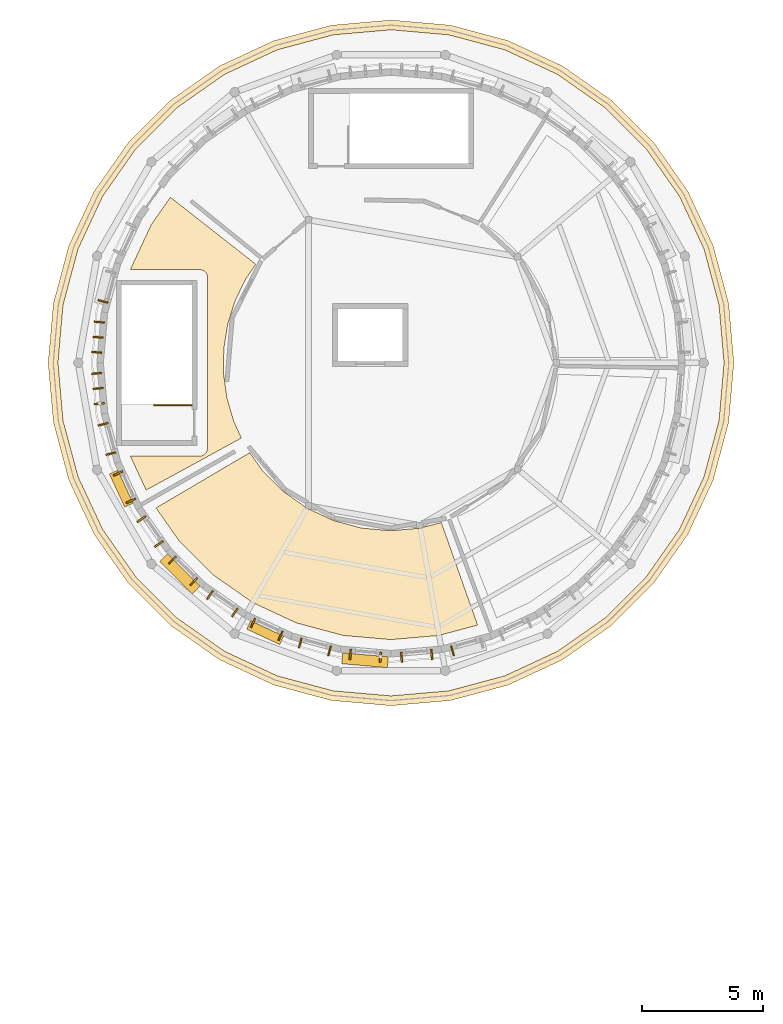
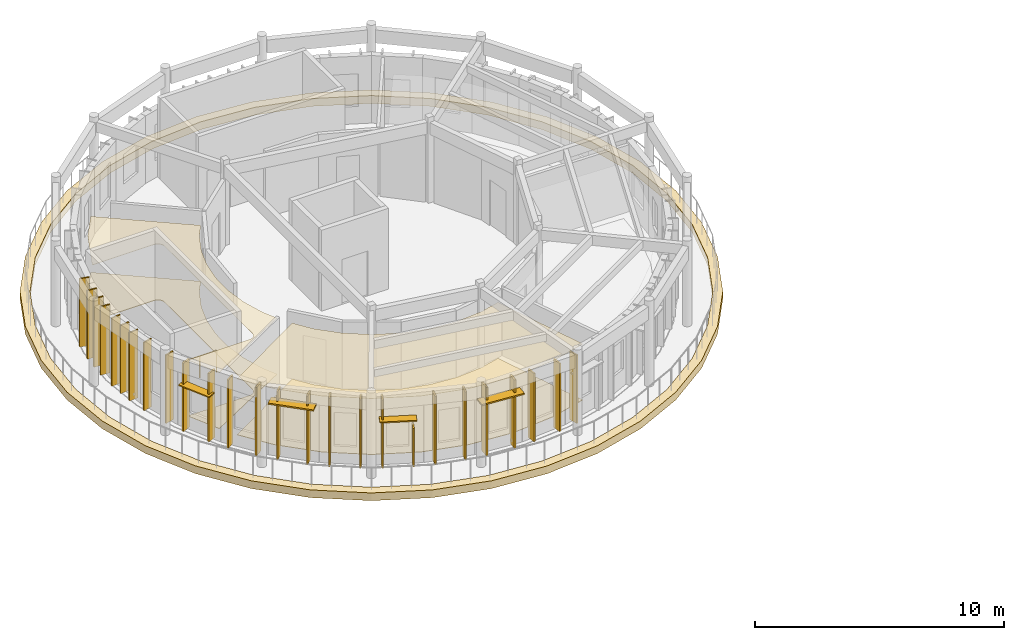
# One storey, part 12 of 14: 30 shading devices, 5 coverings, 1 railing.
"""IFC4 building model written with IfcOpenShell, lengths in metres."""

from ifc_helpers import new_model, si_unit, direction, frame, origin, origin_2d, place, context, subcontext, project, spatial, polyline, rectangle, circle, outline, extrude, material, layer, layer_set, type_object, element, save


model = new_model("IFC4")

# Units and contexts
model_context = context("Model", 3, precision=1e-05, world=origin(), true_north=direction((0.0, 1.0)))
body_context = subcontext(model_context, "Body", "Model", "MODEL_VIEW")
ifc_project = project(units=[si_unit("LENGTHUNIT", "METRE"), si_unit("AREAUNIT", "SQUARE_METRE"), si_unit("VOLUMEUNIT", "CUBIC_METRE"), si_unit("PLANEANGLEUNIT", "RADIAN"), si_unit("MASSUNIT", "GRAM", prefix="KILO")], contexts=[model_context])

# Site, building, storey
site_placement = place(None, origin())
site = spatial("IfcSite", under=ifc_project, at=site_placement, CompositionType="ELEMENT")
building_placement = place(site_placement, origin())
building = spatial("IfcBuilding", under=site, at=building_placement, Name="Aldenvaro Health Centre", CompositionType="ELEMENT")
storey_placement = place(building_placement, frame((0.0, 0.0, 21.35009765625)))
storey = spatial("IfcBuildingStorey", under=building, at=storey_placement, Name="L05", CompositionType="ELEMENT", Elevation=21.35009765625)

# Coverings
ifc_material_1 = material(Name="Antimicrobial Mineral Fibre Ceiling")
ifc_layer_1 = layer(ifc_material_1, 0.01806640625, Name="Antimicrobial Mineral Fibre Ceiling")
ifc_layer_set_1 = layer_set([ifc_layer_1], Name="Antimicrobial Mineral Fibre Ceiling")
covering_type_1 = type_object("IfcCoveringType", Name="COV-CLG-ACT18", PredefinedType="CEILING", material=ifc_layer_set_1)
covering_1_placement = place(storey_placement, frame((0.0, 0.0, 2.75)))
element("IfcCovering", 1, at=covering_1_placement, inside=storey, type_object=covering_type_1, Name="D4-L05-R01 Suspended Ceiling", PredefinedType="CEILING", context=body_context, shape_type="SweptSolid", body=[
    extrude(outline(polyline([(12.510009765625, 102.944091796875), (12.492919921875, 102.9140625), (12.073974609375, 102.0380859375), (12.06103515625, 102.006103515625), (11.77294921875, 101.077880859375), (11.764892578125, 101.0439453125), (11.614990234375, 100.0849609375), (11.613037109375, 100.050048828125), (11.60302734375, 99.080078125), (11.60595703125, 99.044921875), (11.737060546875, 98.0830078125), (11.7451171875, 98.049072265625), (12.014892578125, 97.115966796875), (12.027099609375, 97.083984375), (12.3369140625, 96.403076171875), (8.4150390625, 94.259033203125), (7.7890625, 95.60205078125), (7.77294921875, 95.659912109375), (10.6201171875, 95.659912109375), (10.632080078125, 95.659912109375), (10.639892578125, 95.660888671875), (10.6630859375, 95.6630859375), (10.6708984375, 95.6640625), (10.694091796875, 95.6689453125), (10.701904296875, 95.6708984375), (10.72412109375, 95.677001953125), (10.73095703125, 95.679931640625), (10.7529296875, 95.68896484375), (10.760009765625, 95.69189453125), (10.781005859375, 95.7041015625), (10.7880859375, 95.7080078125), (10.806884765625, 95.720947265625), (10.81396484375, 95.72509765625), (10.83203125, 95.739990234375), (10.837890625, 95.74609375), (10.85400390625, 95.761962890625), (10.860107421875, 95.76806640625), (10.875, 95.785888671875), (10.87890625, 95.79296875), (10.89208984375, 95.81201171875), (10.89599609375, 95.819091796875), (10.907958984375, 95.840087890625), (10.910888671875, 95.846923828125), (10.919921875, 95.868896484375), (10.923095703125, 95.8759765625), (10.928955078125, 95.89794921875), (10.930908203125, 95.906005859375), (10.93603515625, 95.928955078125), (10.93701171875, 95.93701171875), (10.93896484375, 95.9599609375), (10.93994140625, 95.968017578125), (10.93994140625, 95.97998046875), (10.93994140625, 103.02001953125), (10.93994140625, 103.031982421875), (10.93896484375, 103.0400390625), (10.93701171875, 103.06298828125), (10.93603515625, 103.071044921875), (10.930908203125, 103.093994140625), (10.928955078125, 103.10205078125), (10.923095703125, 103.1240234375), (10.919921875, 103.131103515625), (10.910888671875, 103.153076171875), (10.907958984375, 103.159912109375), (10.89599609375, 103.180908203125), (10.89208984375, 103.18798828125), (10.87890625, 103.20703125), (10.875, 103.214111328125), (10.860107421875, 103.23193359375), (10.85400390625, 103.238037109375), (10.837890625, 103.25390625), (10.83203125, 103.260009765625), (10.81396484375, 103.27490234375), (10.806884765625, 103.279052734375), (10.7880859375, 103.2919921875), (10.781005859375, 103.2958984375), (10.760009765625, 103.30810546875), (10.7529296875, 103.31103515625), (10.73095703125, 103.320068359375), (10.72412109375, 103.322998046875), (10.701904296875, 103.3291015625), (10.694091796875, 103.3310546875), (10.6708984375, 103.3359375), (10.6630859375, 103.3369140625), (10.639892578125, 103.339111328125), (10.632080078125, 103.340087890625), (10.6201171875, 103.340087890625), (7.77294921875, 103.340087890625), (7.7890625, 103.39794921875), (8.6279296875, 105.198974609375), (9.4130859375, 106.320068359375), (12.927001953125, 103.56396484375), (12.510009765625, 102.944091796875)])), origin(), (0.0, 0.0, 1.0), 0.017822265625),
])
covering_2_placement = place(storey_placement, frame((0.0, 0.0, 2.75)))
element("IfcCovering", 2, at=covering_2_placement, inside=storey, type_object=covering_type_1, Name="D4-L05-R02 Suspended Ceiling", PredefinedType="CEILING", context=body_context, shape_type="SweptSolid", body=[
    extrude(outline(polyline([(13.220947265625, 95.04296875), (13.23388671875, 95.02587890625), (13.248046875, 95.010986328125), (14.06396484375, 94.202880859375), (14.0791015625, 94.18896484375), (14.095947265625, 94.177001953125), (15.0380859375, 93.52099609375), (15.055908203125, 93.510009765625), (15.073974609375, 93.5), (16.114990234375, 93.014892578125), (16.134033203125, 93.008056640625), (16.154052734375, 93.0009765625), (17.262939453125, 92.702880859375), (17.282958984375, 92.697998046875), (17.303955078125, 92.695068359375), (18.447021484375, 92.591064453125), (18.468017578125, 92.590087890625), (18.489013671875, 92.591064453125), (19.633056640625, 92.68408203125), (19.654052734375, 92.68701171875), (19.674072265625, 92.69091796875), (20.572021484375, 92.924072265625), (22.06689453125, 88.699951171875), (20.47900390625, 88.27392578125), (18.5, 88.10107421875), (16.52099609375, 88.27392578125), (14.60205078125, 88.7890625), (12.801025390625, 89.6279296875), (11.174072265625, 90.76806640625), (9.76806640625, 92.174072265625), (8.820068359375, 93.52587890625), (12.68310546875, 95.799072265625), (13.220947265625, 95.04296875)])), origin(), (0.0, 0.0, 1.0), 0.017822265625),
])
ifc_material_2 = material(Name="Honed Sonoran Buff Limestone", Category="masonry")
ifc_layer_2 = layer(ifc_material_2, 0.280029296875, Name="Honed Sonoran Buff Limestone", Category="masonry")
ifc_layer_set_2 = layer_set([ifc_layer_2], Name="Honed Sonoran Buff Limestone")
covering_type_2 = type_object("IfcCoveringType", Name="COV-CRN-STN", PredefinedType="CLADDING", material=ifc_layer_set_2)
covering_3_placement = place(storey_placement, frame((0.0, 0.0, -0.340087890625)))
element("IfcCovering", 3, at=covering_3_placement, inside=storey, type_object=covering_type_2, Name="D4 L05 Classical Stone Entablature Cornice 1", PredefinedType="CLADDING", context=body_context, shape_type="SweptSolid", body=[
    extrude(outline(polyline([(32.6201171875, 99.5), (32.405029296875, 101.951904296875), (31.76806640625, 104.3291015625), (30.72802734375, 106.56005859375), (29.31689453125, 108.575927734375), (27.575927734375, 110.31689453125), (25.56005859375, 111.72802734375), (23.3291015625, 112.76806640625), (20.951904296875, 113.405029296875), (18.5, 113.6201171875), (16.048095703125, 113.405029296875), (13.6708984375, 112.76806640625), (11.43994140625, 111.72802734375), (9.424072265625, 110.31689453125), (7.68310546875, 108.575927734375), (6.27197265625, 106.56005859375), (5.23193359375, 104.3291015625), (4.594970703125, 101.951904296875), (4.3798828125, 99.5), (4.594970703125, 97.048095703125), (5.23193359375, 94.6708984375), (6.27197265625, 92.43994140625), (7.68310546875, 90.424072265625), (9.424072265625, 88.68310546875), (11.43994140625, 87.27197265625), (13.6708984375, 86.23193359375), (16.048095703125, 85.594970703125), (18.5, 85.3798828125), (20.951904296875, 85.594970703125), (23.3291015625, 86.23193359375), (25.56005859375, 87.27197265625), (27.575927734375, 88.68310546875), (29.31689453125, 90.424072265625), (30.72802734375, 92.43994140625), (31.76806640625, 94.6708984375), (32.405029296875, 97.048095703125), (32.6201171875, 99.5)]), holes=[polyline([(32.215087890625, 99.5), (32.007080078125, 97.117919921875), (31.387939453125, 94.80908203125), (30.3779296875, 92.64208984375), (29.006103515625, 90.68408203125), (27.31591796875, 88.993896484375), (25.35791015625, 87.6220703125), (23.19091796875, 86.612060546875), (20.882080078125, 85.992919921875), (18.5, 85.784912109375), (16.117919921875, 85.992919921875), (13.80908203125, 86.612060546875), (11.64208984375, 87.6220703125), (9.68408203125, 88.993896484375), (7.993896484375, 90.68408203125), (6.6220703125, 92.64208984375), (5.612060546875, 94.80908203125), (4.992919921875, 97.117919921875), (4.784912109375, 99.5), (4.992919921875, 101.882080078125), (5.612060546875, 104.19091796875), (6.6220703125, 106.35791015625), (7.993896484375, 108.31591796875), (9.68408203125, 110.006103515625), (11.64306640625, 111.3779296875), (13.80908203125, 112.387939453125), (16.117919921875, 113.007080078125), (18.5, 113.215087890625), (20.882080078125, 113.007080078125), (23.19091796875, 112.387939453125), (25.35791015625, 111.3779296875), (27.31591796875, 110.006103515625), (29.006103515625, 108.31591796875), (30.3779296875, 106.35791015625), (31.387939453125, 104.19091796875), (32.007080078125, 101.882080078125), (32.215087890625, 99.5)])]), origin(), (0.0, 0.0, 1.0), 0.3798828125),
])
ifc_material_3 = material(Name="Polished Epoxy Terrazzo Flooring")
ifc_layer_3 = layer(ifc_material_3, 0.02197265625, Name="Polished Epoxy Terrazzo Flooring")
ifc_layer_set_3 = layer_set([ifc_layer_3], Name="Polished Epoxy Terrazzo Flooring")
covering_type_3 = type_object("IfcCoveringType", Name="COV-FLR-TER22", PredefinedType="FLOORING", material=ifc_layer_set_3)
covering_4_placement = place(storey_placement, origin())
element("IfcCovering", 4, at=covering_4_placement, inside=storey, type_object=covering_type_3, Name="D4-L05-R01 Flooring", PredefinedType="FLOORING", context=body_context, shape_type="SweptSolid", body=[
    extrude(outline(polyline([(12.510009765625, 102.944091796875), (12.492919921875, 102.9140625), (12.073974609375, 102.0380859375), (12.06103515625, 102.006103515625), (11.77294921875, 101.077880859375), (11.764892578125, 101.0439453125), (11.614990234375, 100.0849609375), (11.613037109375, 100.050048828125), (11.60302734375, 99.080078125), (11.60595703125, 99.044921875), (11.737060546875, 98.0830078125), (11.7451171875, 98.049072265625), (12.014892578125, 97.115966796875), (12.027099609375, 97.083984375), (12.3369140625, 96.403076171875), (8.4150390625, 94.259033203125), (7.7890625, 95.60205078125), (7.77294921875, 95.659912109375), (10.6201171875, 95.659912109375), (10.632080078125, 95.659912109375), (10.639892578125, 95.660888671875), (10.6630859375, 95.6630859375), (10.6708984375, 95.6640625), (10.694091796875, 95.6689453125), (10.701904296875, 95.6708984375), (10.72412109375, 95.677001953125), (10.73095703125, 95.679931640625), (10.7529296875, 95.68896484375), (10.760009765625, 95.69189453125), (10.781005859375, 95.7041015625), (10.7880859375, 95.7080078125), (10.806884765625, 95.720947265625), (10.81396484375, 95.72509765625), (10.83203125, 95.739990234375), (10.837890625, 95.74609375), (10.85400390625, 95.761962890625), (10.860107421875, 95.76806640625), (10.875, 95.785888671875), (10.87890625, 95.79296875), (10.89208984375, 95.81201171875), (10.89599609375, 95.819091796875), (10.907958984375, 95.840087890625), (10.910888671875, 95.846923828125), (10.919921875, 95.868896484375), (10.923095703125, 95.8759765625), (10.928955078125, 95.89794921875), (10.930908203125, 95.906005859375), (10.93603515625, 95.928955078125), (10.93701171875, 95.93701171875), (10.93896484375, 95.9599609375), (10.93994140625, 95.968017578125), (10.93994140625, 95.97998046875), (10.93994140625, 103.02001953125), (10.93994140625, 103.031982421875), (10.93896484375, 103.0400390625), (10.93701171875, 103.06298828125), (10.93603515625, 103.071044921875), (10.930908203125, 103.093994140625), (10.928955078125, 103.10205078125), (10.923095703125, 103.1240234375), (10.919921875, 103.131103515625), (10.910888671875, 103.153076171875), (10.907958984375, 103.159912109375), (10.89599609375, 103.180908203125), (10.89208984375, 103.18798828125), (10.87890625, 103.20703125), (10.875, 103.214111328125), (10.860107421875, 103.23193359375), (10.85400390625, 103.238037109375), (10.837890625, 103.25390625), (10.83203125, 103.260009765625), (10.81396484375, 103.27490234375), (10.806884765625, 103.279052734375), (10.7880859375, 103.2919921875), (10.781005859375, 103.2958984375), (10.760009765625, 103.30810546875), (10.7529296875, 103.31103515625), (10.73095703125, 103.320068359375), (10.72412109375, 103.322998046875), (10.701904296875, 103.3291015625), (10.694091796875, 103.3310546875), (10.6708984375, 103.3359375), (10.6630859375, 103.3369140625), (10.639892578125, 103.339111328125), (10.632080078125, 103.340087890625), (10.6201171875, 103.340087890625), (7.77294921875, 103.340087890625), (7.7890625, 103.39794921875), (8.6279296875, 105.198974609375), (9.4130859375, 106.320068359375), (12.927001953125, 103.56396484375), (12.510009765625, 102.944091796875)])), origin(), (0.0, 0.0, 1.0), 0.02197265625),
])
covering_5_placement = place(storey_placement, origin())
element("IfcCovering", 5, at=covering_5_placement, inside=storey, type_object=covering_type_3, Name="D4-L05-R02 Flooring", PredefinedType="FLOORING", context=body_context, shape_type="SweptSolid", body=[
    extrude(outline(polyline([(13.220947265625, 95.04296875), (13.23388671875, 95.02587890625), (13.248046875, 95.010986328125), (14.06396484375, 94.202880859375), (14.0791015625, 94.18896484375), (14.095947265625, 94.177001953125), (15.0380859375, 93.52099609375), (15.055908203125, 93.510009765625), (15.073974609375, 93.5), (16.114990234375, 93.014892578125), (16.134033203125, 93.008056640625), (16.154052734375, 93.0009765625), (17.262939453125, 92.702880859375), (17.282958984375, 92.697998046875), (17.303955078125, 92.695068359375), (18.447021484375, 92.591064453125), (18.468017578125, 92.590087890625), (18.489013671875, 92.591064453125), (19.633056640625, 92.68408203125), (19.654052734375, 92.68701171875), (19.674072265625, 92.69091796875), (20.572021484375, 92.924072265625), (22.06689453125, 88.699951171875), (20.47900390625, 88.27392578125), (18.5, 88.10107421875), (16.52099609375, 88.27392578125), (14.60205078125, 88.7890625), (12.801025390625, 89.6279296875), (11.174072265625, 90.76806640625), (9.76806640625, 92.174072265625), (8.820068359375, 93.52587890625), (12.68310546875, 95.799072265625), (13.220947265625, 95.04296875)])), origin(), (0.0, 0.0, 1.0), 0.02197265625),
])

# Railing
ifc_material_4 = material(Name="Painted Architectural Steel", Category="steel")
railing_type = type_object("IfcRailingType", Name="RL-BAL-INT", PredefinedType="BALUSTRADE", material=ifc_material_4)
railing_placement = place(storey_placement, frame((10.300048828125, 97.75, 0.0)))
element("IfcRailing", 6, at=railing_placement, inside=storey, type_object=railing_type, Name="L05 ST-08 top well guard 1", PredefinedType="BALUSTRADE", context=body_context, shape_type="SweptSolid", body=[
    extrude(circle(Radius=0.02392578125, at=origin_2d()), frame((0.0, 0.0, 1.076171875), z_axis=(-1.0, 0.0, 0.0), x_axis=(0.0, -1.0, 0.0)), (0.0, 0.0, 1.0), 1.550048828125),
    extrude(circle(Radius=0.02099609375, at=origin_2d()), origin(), (0.0, 0.0, 1.0), 1.052001953125),
    extrude(circle(Radius=0.02099609375, at=origin_2d()), frame((-0.77490234375, 0.0, 0.0)), (0.0, 0.0, 1.0), 1.052001953125),
    extrude(circle(Radius=0.02099609375, at=origin_2d()), frame((-1.550048828125, 0.0, 0.0)), (0.0, 0.0, 1.0), 1.052001953125),
])

# Shading devices
ifc_material_5 = material(Name="Douglas Fir Exterior Glulam GL28h", Category="wood")
shading_device_type_1 = type_object("IfcShadingDeviceType", Name="SHD-FIN-190", PredefinedType="USERDEFINED", material=ifc_material_5)
shading_device_1_placement = place(storey_placement, frame((13.947998046875, 88.260986328125, -0.02001953125), z_axis=(0.0, 0.0, 1.0), x_axis=(-0.906256509994, 0.422728208301, 0.0)))
element("IfcShadingDevice", 7, at=shading_device_1_placement, inside=storey, type_object=shading_device_type_1, Name="D4 L05 Douglas fir fin 11.1", ObjectType="FIN", PredefinedType="USERDEFINED", context=body_context, shape_type="SweptSolid", body=[
    extrude(rectangle(XDim=0.06494140625, YDim=0.419921875, at=origin_2d()), origin(), (0.0, 0.0, 1.0), 1.89990234375),
])
shading_device_type_2 = type_object("IfcShadingDeviceType", Name="SHD-FIN-340", PredefinedType="USERDEFINED", material=ifc_material_5)
for number, where, z_axis, x_axis, name in (
    (8, (18.06591796875, 87.382080078125, -0.02001953125), (0.0, 0.0, 1.0), (-0.996193717495, 0.087166950289, 0.0), "D4 L05 Douglas fir fin 9.1"),
    (9, (16.822998046875, 87.490966796875, -0.02001953125), (0.0, 0.0, 1.0), (-0.996193717495, 0.087166950289, 0.0), "D4 L05 Douglas fir fin 9.3"),
    (10, (7.7890625, 93.81689453125, -0.02001953125), (0.0, 0.0, 1.0), (-0.422728208301, 0.906256509994, 0.0), "D4 L05 Douglas fir fin 15.1"),
    (11, (7.260986328125, 94.947998046875, -0.02001953125), (0.0, 0.0, 1.0), (-0.422728208301, 0.906256509994, 0.0), "D4 L05 Douglas fir fin 15.3"),
):
    element("IfcShadingDevice", number, at=place(storey_placement, frame(where, z_axis=z_axis, x_axis=x_axis)), inside=storey, type_object=shading_device_type_2, Name=name, ObjectType="FIN", PredefinedType="USERDEFINED", context=body_context, shape_type="SweptSolid", body=[
        extrude(rectangle(XDim=0.074951171875, YDim=0.419921875, at=origin_2d()), origin(), (0.0, 0.0, 1.0), 3.35400390625),
    ])
shading_device_type_3 = type_object("IfcShadingDeviceType", Name="SHD-FIN-380", PredefinedType="USERDEFINED", material=ifc_material_5)
for number, where, z_axis, x_axis, name in (
    (12, (20.177001953125, 87.490966796875, -0.02001953125), (0.0, 0.0, 1.0), (-0.996193717495, -0.087166950289, 0.0), "D4 L05 Douglas fir fin 8.1"),
    (13, (18.93408203125, 87.382080078125, -0.02001953125), (0.0, 0.0, 1.0), (-0.996193717495, -0.087166950289, 0.0), "D4 L05 Douglas fir fin 8.3"),
    (14, (8.93896484375, 92.04296875, -0.02001953125), (0.0, 0.0, 1.0), (-0.57355873574, 0.819164438106, 0.0), "D4 L05 Douglas fir fin 14.1"),
    (15, (8.222900390625, 93.06591796875, -0.02001953125), (0.0, 0.0, 1.0), (-0.57355873574, 0.819164438106, 0.0), "D4 L05 Douglas fir fin 14.3"),
):
    element("IfcShadingDevice", number, at=place(storey_placement, frame(where, z_axis=z_axis, x_axis=x_axis)), inside=storey, type_object=shading_device_type_3, Name=name, ObjectType="FIN", PredefinedType="USERDEFINED", context=body_context, shape_type="SweptSolid", body=[
        extrude(rectangle(XDim=0.074951171875, YDim=0.419921875, at=origin_2d()), origin(), (0.0, 0.0, 1.0), 3.35400390625),
    ])
shading_device_type_4 = type_object("IfcShadingDeviceType", Name="SHD-FIN-400", PredefinedType="USERDEFINED", material=ifc_material_5)
for number, where, z_axis, x_axis, name in (
    (16, (21.031005859375, 87.64208984375, -0.02001953125), (0.0, 0.0, 1.0), (-0.965980105029, -0.258616389055, 0.0), "D4 L05 Douglas fir fin 7.3"),
    (17, (10.3779296875, 90.49609375, -0.02001953125), (0.0, 0.0, 1.0), (-0.707106781187, 0.707106781187, 0.0), "D4 L05 Douglas fir fin 13.1"),
    (18, (9.49609375, 91.3779296875, -0.02001953125), (0.0, 0.0, 1.0), (-0.707106781187, 0.707106781187, 0.0), "D4 L05 Douglas fir fin 13.3"),
    (19, (6.64208984375, 102.031005859375, -0.02001953125), (0.0, 0.0, 1.0), (0.258616389055, 0.965980105029, 0.0), "D4 L05 Douglas fir fin 19.1"),
):
    element("IfcShadingDevice", number, at=place(storey_placement, frame(where, z_axis=z_axis, x_axis=x_axis)), inside=storey, type_object=shading_device_type_4, Name=name, ObjectType="FIN", PredefinedType="USERDEFINED", context=body_context, shape_type="SweptSolid", body=[
        extrude(rectangle(XDim=0.06494140625, YDim=0.419921875, at=origin_2d()), origin(), (0.0, 0.0, 1.0), 3.35400390625),
    ])
shading_device_type_5 = type_object("IfcShadingDeviceType", Name="SHD-FIN-420", PredefinedType="USERDEFINED", material=ifc_material_5)
for number, where, z_axis, x_axis, name in (
    (20, (12.06591796875, 89.222900390625, -0.02001953125), (0.0, 0.0, 1.0), (-0.819164438106, 0.57355873574, 0.0), "D4 L05 Douglas fir fin 12.1"),
    (21, (11.04296875, 89.93896484375, -0.02001953125), (0.0, 0.0, 1.0), (-0.819164438106, 0.57355873574, 0.0), "D4 L05 Douglas fir fin 12.3"),
    (22, (6.382080078125, 99.93408203125, -0.02001953125), (0.0, 0.0, 1.0), (0.087166950289, 0.996193717495, 0.0), "D4 L05 Douglas fir fin 18.1"),
    (23, (6.43701171875, 100.554931640625, -0.02001953125), (0.0, 0.0, 1.0), (0.087166950289, 0.996193717495, 0.0), "D4 L05 Douglas fir fin 18.2"),
    (24, (6.490966796875, 101.177001953125, -0.02001953125), (0.0, 0.0, 1.0), (0.087166950289, 0.996193717495, 0.0), "D4 L05 Douglas fir fin 18.3"),
):
    element("IfcShadingDevice", number, at=place(storey_placement, frame(where, z_axis=z_axis, x_axis=x_axis)), inside=storey, type_object=shading_device_type_5, Name=name, ObjectType="FIN", PredefinedType="USERDEFINED", context=body_context, shape_type="SweptSolid", body=[
        extrude(rectangle(XDim=0.06494140625, YDim=0.419921875, at=origin_2d()), origin(), (0.0, 0.0, 1.0), 3.35400390625),
    ])
shading_device_type_6 = type_object("IfcShadingDeviceType", Name="SHD-FIN-435", PredefinedType="USERDEFINED", material=ifc_material_5)
for number, where, z_axis, x_axis, name in (
    (25, (12.81689453125, 88.7890625, -0.02001953125), (0.0, 0.0, 1.0), (-0.906256509994, 0.422728208301, 0.0), "D4 L05 Douglas fir fin 11.3"),
    (26, (6.490966796875, 97.822998046875, -0.02001953125), (0.0, 0.0, 1.0), (-0.087166950289, 0.996193717495, 0.0), "D4 L05 Douglas fir fin 17.1"),
    (27, (6.43701171875, 98.445068359375, -0.02001953125), (0.0, 0.0, 1.0), (-0.087166950289, 0.996193717495, 0.0), "D4 L05 Douglas fir fin 17.2"),
    (28, (6.382080078125, 99.06591796875, -0.02001953125), (0.0, 0.0, 1.0), (-0.087166950289, 0.996193717495, 0.0), "D4 L05 Douglas fir fin 17.3"),
):
    element("IfcShadingDevice", number, at=place(storey_placement, frame(where, z_axis=z_axis, x_axis=x_axis)), inside=storey, type_object=shading_device_type_6, Name=name, ObjectType="FIN", PredefinedType="USERDEFINED", context=body_context, shape_type="SweptSolid", body=[
        extrude(rectangle(XDim=0.06494140625, YDim=0.419921875, at=origin_2d()), origin(), (0.0, 0.0, 1.0), 3.35400390625),
    ])
shading_device_type_7 = type_object("IfcShadingDeviceType", Name="SHD-FIN-455", PredefinedType="USERDEFINED", material=ifc_material_5)
for number, where, z_axis, x_axis, name in (
    (29, (15.968994140625, 87.64208984375, -0.02001953125), (0.0, 0.0, 1.0), (-0.965980105029, 0.258616389055, 0.0), "D4 L05 Douglas fir fin 10.1"),
    (30, (14.762939453125, 87.964111328125, -0.02001953125), (0.0, 0.0, 1.0), (-0.965980105029, 0.258616389055, 0.0), "D4 L05 Douglas fir fin 10.3"),
    (31, (6.964111328125, 95.762939453125, -0.02001953125), (0.0, 0.0, 1.0), (-0.258616389055, 0.965980105029, 0.0), "D4 L05 Douglas fir fin 16.1"),
    (32, (6.64208984375, 96.968994140625, -0.02001953125), (0.0, 0.0, 1.0), (-0.258616389055, 0.965980105029, 0.0), "D4 L05 Douglas fir fin 16.3"),
):
    element("IfcShadingDevice", number, at=place(storey_placement, frame(where, z_axis=z_axis, x_axis=x_axis)), inside=storey, type_object=shading_device_type_7, Name=name, ObjectType="FIN", PredefinedType="USERDEFINED", context=body_context, shape_type="SweptSolid", body=[
        extrude(rectangle(XDim=0.06494140625, YDim=0.419921875, at=origin_2d()), origin(), (0.0, 0.0, 1.0), 3.35400390625),
    ])
shading_device_type_8 = type_object("IfcShadingDeviceType", Name="SHD-LVR-150", PredefinedType="JALOUSIE", material=ifc_material_5)
for number, where, z_axis, x_axis, name in (
    (33, (13.319091796875, 88.388916015625, 2.30224609375), (0.0, 0.0, 1.0), (-0.906256509994, 0.422728208301, 0.0), "D4 L05 horizontal solar louvre 11"),
    (34, (7.388916015625, 94.319091796875, 2.25244140625), (0.0, 0.0, 1.0), (-0.422728208301, 0.906256509994, 0.0), "D4 L05 horizontal solar louvre 15"),
):
    element("IfcShadingDevice", number, at=place(storey_placement, frame(where, z_axis=z_axis, x_axis=x_axis)), inside=storey, type_object=shading_device_type_8, Name=name, PredefinedType="JALOUSIE", context=body_context, shape_type="SweptSolid", body=[
        extrude(rectangle(XDim=1.5, YDim=0.3798828125, at=origin_2d()), origin(), (0.0, 0.0, 1.0), 0.054931640625),
    ])
shading_device_type_9 = type_object("IfcShadingDeviceType", Name="SHD-LVR-190", PredefinedType="JALOUSIE", material=ifc_material_5)
shading_device_2_placement = place(storey_placement, frame((17.428955078125, 87.251953125, 2.6474609375), z_axis=(0.0, 0.0, 1.0), x_axis=(-0.996193717495, 0.087166950289, 0.0)))
element("IfcShadingDevice", 35, at=shading_device_2_placement, inside=storey, type_object=shading_device_type_9, Name="D4 L05 horizontal solar louvre 09", PredefinedType="JALOUSIE", context=body_context, shape_type="SweptSolid", body=[
    extrude(rectangle(XDim=1.887939453125, YDim=0.449951171875, at=origin_2d()), origin(), (0.0, 0.0, 1.0), 0.06494140625),
])
shading_device_3_placement = place(storey_placement, frame((9.805908203125, 90.806884765625, 2.79736328125), z_axis=(0.0, 0.0, 1.0), x_axis=(-0.707106781187, 0.707106781187, 0.0)))
element("IfcShadingDevice", 36, at=shading_device_3_placement, inside=storey, type_object=shading_device_type_9, Name="D4 L05 horizontal solar louvre 13", PredefinedType="JALOUSIE", context=body_context, shape_type="SweptSolid", body=[
    extrude(rectangle(XDim=1.887451171875, YDim=0.449951171875, at=origin_2d()), origin(), (0.0, 0.0, 1.0), 0.06494140625),
])

save(model, "model.ifc")
